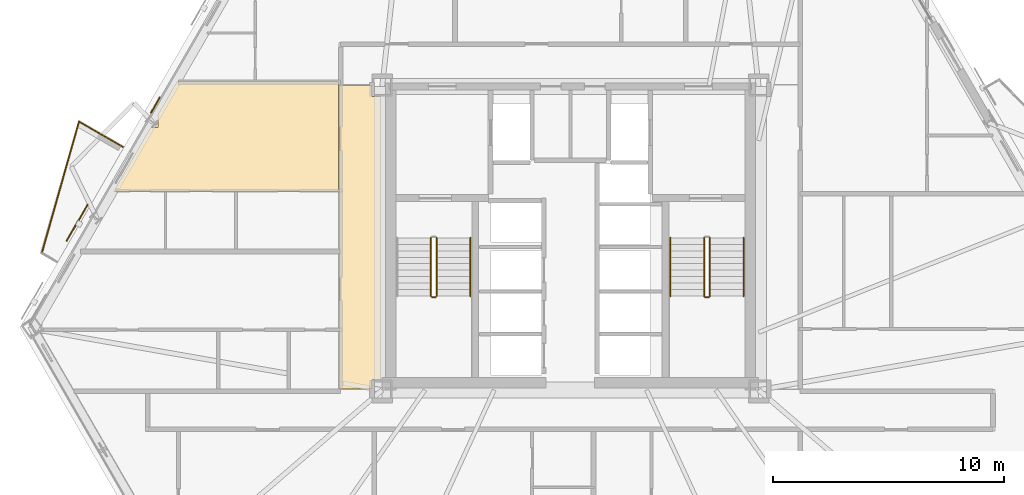
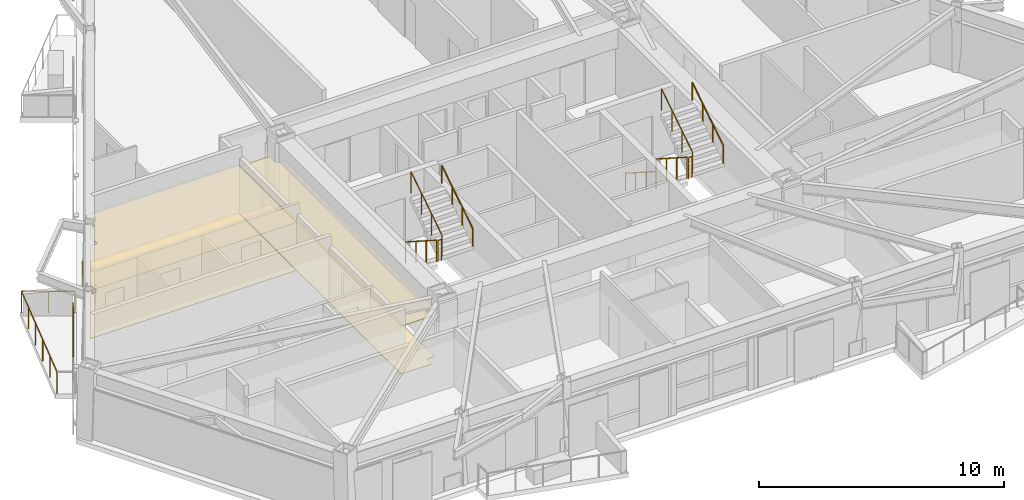
# One storey, part 13 of 15: 11 railings, 5 coverings, 1 shading device.
"""IFC4 building model written with IfcOpenShell, lengths in metres."""

import ifcopenshell
import ifcopenshell.guid

model = None  # the IFC model being written
_history = None  # IfcOwnerHistory: only IFC2X3 demands one
_inside = {}  # id of a spatial element -> (the spatial element, [elements in it])
_under = {}  # id of a project, library or spatial element -> (it, [spatial elements below it])
_declared = {}  # id of a project -> (the project, [libraries it declares])
_typed = {}  # id of a type object -> (the type object, [elements of that type])
_made_of = {}  # id of a material, layer set ... -> (it, [elements and type objects made of it])


def new_model(schema):
    """Start an empty IFC model of exactly this schema.

    Asked for "IFC4X3", IfcOpenShell would pick the latest addendum, in which some entities
    have other attributes; the version numbers below select the first issue.
    IFC2X3 requires an IfcOwnerHistory on every rooted entity: one is made here for all.
    """
    global model, _history
    if schema == "IFC4X3":
        model = ifcopenshell.file(schema_version=(4, 3, 0, 0))
    else:
        model = ifcopenshell.file(schema=schema)
    _inside.clear()
    _under.clear()
    _declared.clear()
    _typed.clear()
    _made_of.clear()
    _history = None
    if model.schema == "IFC2X3":
        org = make("IfcOrganization", Name="unknown")
        user = make(
            "IfcPersonAndOrganization",
            ThePerson=make("IfcPerson", FamilyName="unknown"),
            TheOrganization=org,
        )
        app = make(
            "IfcApplication",
            ApplicationDeveloper=org,
            Version="unknown",
            ApplicationFullName="unknown",
            ApplicationIdentifier="unknown",
        )
        _history = make(
            "IfcOwnerHistory",
            OwningUser=user,
            OwningApplication=app,
            ChangeAction="ADDED",
            CreationDate=0,
        )
    return model


def make(cls, **values):
    """One entity of the class cls with the attributes given. An attribute that is None is left unset."""
    return model.create_entity(
        cls, **{name: value for name, value in values.items() if value is not None}
    )


def rooted(cls, **values):
    """An entity with a GlobalId (a new one), such as an element, a storey or a relation."""
    return make(cls, GlobalId=ifcopenshell.guid.new(), OwnerHistory=_history, **values)


def si_unit(unit_type, name, prefix=None):
    """IfcSIUnit, for example si_unit("LENGTHUNIT", "METRE", prefix="MILLI")."""
    return make("IfcSIUnit", UnitType=unit_type, Prefix=prefix, Name=name)


def assignment(units):
    """IfcUnitAssignment: the units of a project."""
    return None if units is None else make("IfcUnitAssignment", Units=units)


def point(xyz):
    """IfcCartesianPoint."""
    return None if xyz is None else make("IfcCartesianPoint", Coordinates=xyz)


def direction(xyz):
    """IfcDirection."""
    return None if xyz is None else make("IfcDirection", DirectionRatios=xyz)


def frame(location, z_axis=None, x_axis=None):
    """IfcAxis2Placement3D, a coordinate frame: its origin and axes. An axis left out is left unset."""
    return make(
        "IfcAxis2Placement3D",
        Location=point(location),
        Axis=direction(z_axis),
        RefDirection=direction(x_axis),
    )


def frame_2d(location, x_axis=None):
    """IfcAxis2Placement2D, a coordinate frame in the plane: its origin and x axis."""
    return make(
        "IfcAxis2Placement2D", Location=point(location), RefDirection=direction(x_axis)
    )


def origin():
    """The frame at (0, 0, 0) with its axes left unset."""
    return frame((0.0, 0.0, 0.0))


def origin_2d():
    """The frame at (0, 0) in the plane with its x axis left unset."""
    return frame_2d((0.0, 0.0))


def place(relative_to, where):
    """IfcLocalPlacement: puts the frame where relative to a parent placement (None: the world)."""
    return make(
        "IfcLocalPlacement", PlacementRelTo=relative_to, RelativePlacement=where
    )


def context(
    kind, dimensions, precision=None, world=None, true_north=None, identifier=None
):
    """IfcGeometricRepresentationContext, for example the 3D "Model" context."""
    return make(
        "IfcGeometricRepresentationContext",
        ContextIdentifier=identifier,
        ContextType=kind,
        CoordinateSpaceDimension=dimensions,
        Precision=precision,
        WorldCoordinateSystem=world,
        TrueNorth=true_north,
    )


def subcontext(parent, identifier, kind, view, scale=None):
    """IfcGeometricRepresentationSubContext, for example "Body" below "Model"."""
    return make(
        "IfcGeometricRepresentationSubContext",
        ContextIdentifier=identifier,
        ContextType=kind,
        ParentContext=parent,
        TargetScale=scale,
        TargetView=view,
    )


def project(units=None, contexts=None):
    """IfcProject with its units and contexts."""
    return rooted(
        "IfcProject",
        Name="project",
        RepresentationContexts=contexts,
        UnitsInContext=assignment(units),
    )


def spatial(cls, under=None, at=None, **own):
    """A site, building, storey or space (cls), placed at a placement, below another one or the project."""
    s = rooted(cls, ObjectPlacement=at, **own)
    if under is not None:
        _under.setdefault(under.id(), (under, []))[1].append(s)
    return s


def polyline(points):
    """IfcPolyline through the points."""
    return make("IfcPolyline", Points=[point(p) for p in points])


def profile(cls, at=None, kind="AREA", **sizes):
    """A parametric profile (cls). Its sizes go by their IFC names, for example OverallWidth=200.0."""
    return make(cls, ProfileType=kind, Position=at, **sizes)


def rectangle(**sizes):
    """IfcRectangleProfileDef."""
    return profile("IfcRectangleProfileDef", **sizes)


def circle(**sizes):
    """IfcCircleProfileDef."""
    return profile("IfcCircleProfileDef", **sizes)


def outline(outer, holes=None, kind="AREA"):
    """IfcArbitraryClosedProfileDef: a profile drawn as a closed curve; with holes, ...WithVoids."""
    if holes is None:
        return make("IfcArbitraryClosedProfileDef", ProfileType=kind, OuterCurve=outer)
    return make(
        "IfcArbitraryProfileDefWithVoids",
        ProfileType=kind,
        OuterCurve=outer,
        InnerCurves=holes,
    )


def extrude(swept, where, along, depth):
    """IfcExtrudedAreaSolid: the profile swept, set in the frame where, extruded along a direction by depth."""
    return make(
        "IfcExtrudedAreaSolid",
        SweptArea=swept,
        Position=where,
        ExtrudedDirection=direction(along),
        Depth=depth,
    )


def shape(context_of_items, identifier, shape_type, items):
    """IfcShapeRepresentation: the items that make up one representation, for example the "Body"."""
    return make(
        "IfcShapeRepresentation",
        ContextOfItems=context_of_items,
        RepresentationIdentifier=identifier,
        RepresentationType=shape_type,
        Items=items,
    )


def material(Name=None, Category=None):
    """IfcMaterial."""
    return make("IfcMaterial", Name=Name, Category=Category)


def layer(
    of_material, thickness, ventilated=None, Name=None, Category=None, Priority=None
):
    """IfcMaterialLayer: one layer of a wall or slab, of a material (None: an air gap)."""
    return make(
        "IfcMaterialLayer",
        Material=of_material,
        LayerThickness=thickness,
        IsVentilated=ventilated,
        Name=Name,
        Category=Category,
        Priority=Priority,
    )


def layer_set(layers, Name=None):
    """IfcMaterialLayerSet."""
    return make("IfcMaterialLayerSet", MaterialLayers=layers, LayerSetName=Name)


def made_of(thing, what):
    """Note that an element or type object is made of a material, layer set ...; save() writes the relation."""
    if what is not None:
        _made_of.setdefault(what.id(), (what, []))[1].append(thing)
    return thing


def type_object(cls, material=None, **own):
    """A type object (cls), such as IfcWallType, which elements share."""
    return made_of(rooted(cls, **own), material)


def element(
    cls,
    number,
    at=None,
    inside=None,
    cuts=None,
    type_object=None,
    material=None,
    context=None,
    identifier="Body",
    shape_type=None,
    held_by="IfcProductDefinitionShape",
    body=None,
    shapes=None,
    **own,
):
    """One element of the class cls, such as IfcWall. Its Tag is "e" and its number.

    at: its placement. inside: the storey or other place that contains it. cuts: it is an
    opening in that element (IfcRelVoidsElement). A single representation is given by context,
    identifier, shape_type and body (its items); several are given by shapes. held_by: the class
    of the entity that holds the representations. save() writes the other relations.
    """
    e = rooted(cls, Tag="e%d" % number, ObjectPlacement=at, **own)
    if body is not None:
        shapes = [shape(context, identifier, shape_type, body)]
    if shapes is not None:
        e.Representation = make(held_by, Representations=shapes)
    if inside is not None:
        _inside.setdefault(inside.id(), (inside, []))[1].append(e)
    if cuts is not None:
        rooted(
            "IfcRelVoidsElement", RelatingBuildingElement=cuts, RelatedOpeningElement=e
        )
    if type_object is not None:
        _typed.setdefault(type_object.id(), (type_object, []))[1].append(e)
    return made_of(e, material)


def aggregate(whole, parts):
    """IfcRelAggregates: a whole, such as a stair, and the parts it consists of."""
    return rooted("IfcRelAggregates", RelatingObject=whole, RelatedObjects=parts)


def save(model, path):
    """Write the relations noted so far, then the file.

    IfcRelAggregates (storeys below a building ...), IfcRelContainedInSpatialStructure (elements
    in a storey), IfcRelDefinesByType, IfcRelAssociatesMaterial and IfcRelDeclares: one each for
    every whole, place, type object, material and project.
    """
    for whole, parts in _under.values():
        aggregate(whole, parts)
    for where, things in _inside.values():
        rooted(
            "IfcRelContainedInSpatialStructure",
            RelatedElements=things,
            RelatingStructure=where,
        )
    for kind, things in _typed.values():
        rooted("IfcRelDefinesByType", RelatedObjects=things, RelatingType=kind)
    for what, things in _made_of.values():
        rooted("IfcRelAssociatesMaterial", RelatedObjects=things, RelatingMaterial=what)
    for by, libraries in _declared.values():
        rooted("IfcRelDeclares", RelatingContext=by, RelatedDefinitions=libraries)
    model.write(path)


model = new_model("IFC4")

# Units and contexts
model_context = context("Model", 3, precision=1e-05, world=origin(), true_north=direction((0.0, 1.0)))
body_context = subcontext(model_context, "Body", "Model", "MODEL_VIEW")
ifc_project = project(units=[si_unit("LENGTHUNIT", "METRE"), si_unit("AREAUNIT", "SQUARE_METRE"), si_unit("VOLUMEUNIT", "CUBIC_METRE"), si_unit("PLANEANGLEUNIT", "RADIAN"), si_unit("MASSUNIT", "GRAM", prefix="KILO")], contexts=[model_context])

# Site, building, storey
site_placement = place(None, origin())
site = spatial("IfcSite", under=ifc_project, at=site_placement, CompositionType="ELEMENT")
building_placement = place(site_placement, origin())
building = spatial("IfcBuilding", under=site, at=building_placement, Name="Oramaril Tower", CompositionType="ELEMENT")
storey_placement = place(building_placement, frame((0.0, 0.0, 93.300048828125)))
storey = spatial("IfcBuildingStorey", under=building, at=storey_placement, Name="L24", CompositionType="ELEMENT", Elevation=93.300048828125)

# Coverings
ifc_material_1 = material(Name="Mineral Fibre Acoustic Ceiling")
ifc_layer_1 = layer(ifc_material_1, 0.02001953125)
ifc_layer_set_1 = layer_set([ifc_layer_1], Name="CVT-CEIL")
covering_type_1 = type_object("IfcCoveringType", Name="CVT-CEIL", PredefinedType="CEILING", material=ifc_layer_set_1)
covering_1_placement = place(storey_placement, frame((0.0, 0.0, 2.39990234375)))
element("IfcCovering", 1, at=covering_1_placement, inside=storey, type_object=covering_type_1, Name="L24 Acoustic Suspended Ceiling 3", PredefinedType="CEILING", context=body_context, shape_type="SweptSolid", body=[
    extrude(outline(polyline([(28.905029296875, 23.705078125), (29.280029296875, 23.705078125), (29.280029296875, 11.445068359375), (28.905029296875, 11.445068359375), (28.905029296875, 11.050048828125), (27.469970703125, 11.050048828125), (27.469970703125, 24.219970703125), (28.905029296875, 24.219970703125), (28.905029296875, 23.705078125)])), origin(), (0.0, 0.0, 1.0), 0.02001953125),
])
covering_2_placement = place(storey_placement, frame((0.0, 0.0, 2.39990234375)))
element("IfcCovering", 2, at=covering_2_placement, inside=storey, type_object=covering_type_1, Name="L24 Acoustic Suspended Ceiling 16", PredefinedType="CEILING", context=body_context, shape_type="SweptSolid", body=[
    extrude(outline(polyline([(17.713623046875, 19.59326171875), (19.31298828125, 22.363037109375), (19.642333984375, 22.363037109375), (19.642333984375, 22.8671875), (19.60400390625, 22.8671875), (20.467041015625, 24.362060546875), (27.449951171875, 24.362060546875), (27.449951171875, 24.239990234375), (27.4501953125, 24.238037109375), (27.450439453125, 24.236083984375), (27.450927734375, 24.234130859375), (27.451416015625, 24.232421875), (27.452392578125, 24.230712890625), (27.45263671875, 24.22998046875), (27.452392578125, 24.2294921875), (27.451416015625, 24.227783203125), (27.450927734375, 24.225830078125), (27.450439453125, 24.223876953125), (27.4501953125, 24.221923828125), (27.449951171875, 24.219970703125), (27.449951171875, 19.59326171875), (17.713623046875, 19.59326171875)])), origin(), (0.0, 0.0, 1.0), 0.02001953125),
])
ifc_material_2 = material(Name="Warm Cream Limestone", Category="masonry")
ifc_layer_2 = layer(ifc_material_2, 0.050048828125)
ifc_layer_set_2 = layer_set([ifc_layer_2], Name="CVT-CLD")
covering_type_2 = type_object("IfcCoveringType", Name="CVT-CLD", PredefinedType="CLADDING", material=ifc_layer_set_2)
covering_3_placement = place(storey_placement, frame((19.527099609375, 23.3359375, 0.0400390625), z_axis=(0.0, 0.0, 1.0), x_axis=(-0.5, -0.866025403784, 0.0)))
element("IfcCovering", 3, at=covering_3_placement, inside=storey, type_object=covering_type_2, Name="L24 Warm Cream Limestone Spandrel Cladding", PredefinedType="CLADDING", context=body_context, shape_type="SweptSolid", body=[
    extrude(rectangle(XDim=0.800048828125, YDim=0.050048828125, at=origin_2d()), origin(), (0.0, 0.0, 1.0), 0.679931640625),
])
ifc_material_3 = material(Name="Honed Quartzite Stone Flooring", Category="masonry")
ifc_layer_3 = layer(ifc_material_3, 0.02490234375)
ifc_layer_set_3 = layer_set([ifc_layer_3], Name="CVT-FLR")
covering_type_3 = type_object("IfcCoveringType", Name="CVT-FLR", PredefinedType="FLOORING", material=ifc_layer_set_3)
covering_4_placement = place(storey_placement, origin())
element("IfcCovering", 4, at=covering_4_placement, inside=storey, type_object=covering_type_3, Name="L24 Honed Stone Floor Finish 3", PredefinedType="FLOORING", context=body_context, shape_type="SweptSolid", body=[
    extrude(outline(polyline([(28.905029296875, 23.705078125), (29.280029296875, 23.705078125), (29.280029296875, 11.445068359375), (28.905029296875, 11.445068359375), (28.905029296875, 11.050048828125), (27.469970703125, 11.050048828125), (27.469970703125, 24.219970703125), (28.905029296875, 24.219970703125), (28.905029296875, 23.705078125)])), origin(), (0.0, 0.0, 1.0), 0.02490234375),
])
covering_5_placement = place(storey_placement, origin())
element("IfcCovering", 5, at=covering_5_placement, inside=storey, type_object=covering_type_3, Name="L24 Honed Stone Floor Finish 16", PredefinedType="FLOORING", context=body_context, shape_type="SweptSolid", body=[
    extrude(outline(polyline([(17.713623046875, 19.59326171875), (19.31298828125, 22.363037109375), (19.642333984375, 22.363037109375), (19.642333984375, 22.8671875), (19.60400390625, 22.8671875), (20.467041015625, 24.362060546875), (27.449951171875, 24.362060546875), (27.449951171875, 24.239990234375), (27.4501953125, 24.238037109375), (27.450439453125, 24.236083984375), (27.450927734375, 24.234130859375), (27.451416015625, 24.232421875), (27.452392578125, 24.230712890625), (27.45263671875, 24.22998046875), (27.452392578125, 24.2294921875), (27.451416015625, 24.227783203125), (27.450927734375, 24.225830078125), (27.450439453125, 24.223876953125), (27.4501953125, 24.221923828125), (27.449951171875, 24.219970703125), (27.449951171875, 19.59326171875), (17.713623046875, 19.59326171875)])), origin(), (0.0, 0.0, 1.0), 0.02490234375),
])

# Railings
ifc_material_4 = material(Name="Stainless Steel 316L", Category="steel")
railing_type_1 = type_object("IfcRailingType", Name="RLT-GRD", PredefinedType="GUARDRAIL", material=ifc_material_4)
railing_1_placement = place(storey_placement, frame((14.61181640625, 16.9365234375, 0.0)))
element("IfcRailing", 6, at=railing_1_placement, inside=storey, type_object=railing_type_1, Name="L24 Balcony Guardrail L24-BAL-NW2.2", PredefinedType="GUARDRAIL", context=body_context, shape_type="SweptSolid", body=[
    extrude(circle(Radius=0.02392578125, at=origin_2d()), frame((0.0, 0.0, 1.076171875), z_axis=(0.272287109361, 0.962216051662, 0.0), x_axis=(-0.962216051662, 0.272287109361, 0.0)), (0.0, 0.0, 1.0), 5.91064453125),
    extrude(circle(Radius=0.02099609375, at=origin_2d()), origin(), (0.0, 0.0, 1.0), 1.052001953125),
    extrude(circle(Radius=0.02099609375, at=origin_2d()), frame((0.32177734375, 1.137451171875, 0.0)), (0.0, 0.0, 1.0), 1.052001953125),
    extrude(circle(Radius=0.02099609375, at=origin_2d()), frame((0.643798828125, 2.27490234375, 0.0)), (0.0, 0.0, 1.0), 1.052001953125),
    extrude(circle(Radius=0.02099609375, at=origin_2d()), frame((0.965576171875, 3.412353515625, 0.0)), (0.0, 0.0, 1.0), 1.052001953125),
    extrude(circle(Radius=0.02099609375, at=origin_2d()), frame((1.28759765625, 4.5498046875, 0.0)), (0.0, 0.0, 1.0), 1.052001953125),
    extrude(circle(Radius=0.02099609375, at=origin_2d()), frame((1.609375, 5.687255859375, 0.0)), (0.0, 0.0, 1.0), 1.052001953125),
])
railing_2_placement = place(storey_placement, frame((16.22119140625, 22.623779296875, 0.0)))
element("IfcRailing", 7, at=railing_2_placement, inside=storey, type_object=railing_type_1, Name="L24 Balcony Guardrail L24-BAL-NW2.3", PredefinedType="GUARDRAIL", context=body_context, shape_type="SweptSolid", body=[
    extrude(circle(Radius=0.02392578125, at=origin_2d()), frame((0.0, 0.0, 1.076171875), z_axis=(0.866020500697, -0.5000084923, 0.0), x_axis=(0.5000084923, 0.866020500697, 0.0)), (0.0, 0.0, 1.0), 2.19189453125),
    extrude(circle(Radius=0.02099609375, at=origin_2d()), origin(), (0.0, 0.0, 1.0), 1.052001953125),
    extrude(circle(Radius=0.02099609375, at=origin_2d()), frame((0.94921875, -0.5478515625, 0.0)), (0.0, 0.0, 1.0), 1.052001953125),
    extrude(circle(Radius=0.02099609375, at=origin_2d()), frame((1.898193359375, -1.095947265625, 0.0)), (0.0, 0.0, 1.0), 1.052001953125),
])
railing_3_placement = place(storey_placement, frame((31.4599609375, 17.590087890625, 0.179931640625)))
element("IfcRailing", 8, at=railing_3_placement, inside=storey, type_object=railing_type_1, Name="L24 ST-1 stair guard 1", PredefinedType="GUARDRAIL", context=body_context, shape_type="SweptSolid", body=[
    extrude(circle(Radius=0.02392578125, at=origin_2d()), frame((0.0, 0.0, 1.076171875), z_axis=(0.0, -0.841162588446, 0.540782303519), x_axis=(1.0, 0.0, 0.0)), (0.0, 0.0, 1.0), 2.995849609375),
    extrude(circle(Radius=0.02099609375, at=origin_2d()), origin(), (0.0, 0.0, 1.0), 1.052001953125),
    extrude(circle(Radius=0.02099609375, at=origin_2d()), frame((0.0, -0.840087890625, 0.5400390625)), (0.0, 0.0, 1.0), 1.052001953125),
    extrude(circle(Radius=0.02099609375, at=origin_2d()), frame((0.0, -1.679931640625, 1.080078125)), (0.0, 0.0, 1.0), 1.052001953125),
    extrude(circle(Radius=0.02099609375, at=origin_2d()), frame((0.0, -2.52001953125, 1.6201171875)), (0.0, 0.0, 1.0), 1.052001953125),
])
railing_4_placement = place(storey_placement, frame((31.510009765625, 15.02001953125, 1.800048828125)))
element("IfcRailing", 9, at=railing_4_placement, inside=storey, type_object=railing_type_1, Name="L24 ST-1 stair guard 2", PredefinedType="GUARDRAIL", context=body_context, shape_type="SweptSolid", body=[
    extrude(circle(Radius=0.02392578125, at=origin_2d()), frame((0.0, 0.0, 1.076171875), z_axis=(1.0, 0.0, 0.0), x_axis=(0.0, 1.0, 0.0)), (0.0, 0.0, 1.0), 0.14990234375),
    extrude(circle(Radius=0.02099609375, at=origin_2d()), origin(), (0.0, 0.0, 1.0), 1.052001953125),
    extrude(circle(Radius=0.02099609375, at=origin_2d()), frame((0.14990234375, 0.0, 0.0)), (0.0, 0.0, 1.0), 1.052001953125),
])
railing_5_placement = place(storey_placement, frame((31.7099609375, 15.070068359375, 1.97998046875)))
element("IfcRailing", 10, at=railing_5_placement, inside=storey, type_object=railing_type_1, Name="L24 ST-1 stair guard 3", PredefinedType="GUARDRAIL", context=body_context, shape_type="SweptSolid", body=[
    extrude(circle(Radius=0.02392578125, at=origin_2d()), frame((0.0, 0.0, 1.076171875), z_axis=(0.0, 0.841199657755, 0.540724639528), x_axis=(-1.0, 0.0, 0.0)), (0.0, 0.0, 1.0), 2.995849609375),
    extrude(circle(Radius=0.02099609375, at=origin_2d()), origin(), (0.0, 0.0, 1.0), 1.052001953125),
    extrude(circle(Radius=0.02099609375, at=origin_2d()), frame((0.0, 0.840087890625, 0.5400390625)), (0.0, 0.0, 1.0), 1.052001953125),
    extrude(circle(Radius=0.02099609375, at=origin_2d()), frame((0.0, 1.679931640625, 1.079833984375)), (0.0, 0.0, 1.0), 1.052001953125),
    extrude(circle(Radius=0.02099609375, at=origin_2d()), frame((0.0, 2.52001953125, 1.619873046875)), (0.0, 0.0, 1.0), 1.052001953125),
])
railing_6_placement = place(storey_placement, frame((43.2900390625, 17.590087890625, 0.179931640625)))
element("IfcRailing", 11, at=railing_6_placement, inside=storey, type_object=railing_type_1, Name="L24 ST-2 stair guard 1", PredefinedType="GUARDRAIL", context=body_context, shape_type="SweptSolid", body=[
    extrude(circle(Radius=0.02392578125, at=origin_2d()), frame((0.0, 0.0, 1.076171875), z_axis=(0.0, -0.841162588446, 0.540782303519), x_axis=(1.0, 0.0, 0.0)), (0.0, 0.0, 1.0), 2.995849609375),
    extrude(circle(Radius=0.02099609375, at=origin_2d()), origin(), (0.0, 0.0, 1.0), 1.052001953125),
    extrude(circle(Radius=0.02099609375, at=origin_2d()), frame((0.0, -0.840087890625, 0.5400390625)), (0.0, 0.0, 1.0), 1.052001953125),
    extrude(circle(Radius=0.02099609375, at=origin_2d()), frame((0.0, -1.679931640625, 1.080078125)), (0.0, 0.0, 1.0), 1.052001953125),
    extrude(circle(Radius=0.02099609375, at=origin_2d()), frame((0.0, -2.52001953125, 1.6201171875)), (0.0, 0.0, 1.0), 1.052001953125),
])
railing_7_placement = place(storey_placement, frame((43.340087890625, 15.02001953125, 1.800048828125)))
element("IfcRailing", 12, at=railing_7_placement, inside=storey, type_object=railing_type_1, Name="L24 ST-2 stair guard 2", PredefinedType="GUARDRAIL", context=body_context, shape_type="SweptSolid", body=[
    extrude(circle(Radius=0.02392578125, at=origin_2d()), frame((0.0, 0.0, 1.076171875), z_axis=(1.0, 0.0, 0.0), x_axis=(0.0, 1.0, 0.0)), (0.0, 0.0, 1.0), 0.14990234375),
    extrude(circle(Radius=0.02099609375, at=origin_2d()), origin(), (0.0, 0.0, 1.0), 1.052001953125),
    extrude(circle(Radius=0.02099609375, at=origin_2d()), frame((0.14990234375, 0.0, 0.0)), (0.0, 0.0, 1.0), 1.052001953125),
])
railing_8_placement = place(storey_placement, frame((43.5400390625, 15.070068359375, 1.97998046875)))
element("IfcRailing", 13, at=railing_8_placement, inside=storey, type_object=railing_type_1, Name="L24 ST-2 stair guard 3", PredefinedType="GUARDRAIL", context=body_context, shape_type="SweptSolid", body=[
    extrude(circle(Radius=0.02392578125, at=origin_2d()), frame((0.0, 0.0, 1.076171875), z_axis=(0.0, 0.841199657755, 0.540724639528), x_axis=(-1.0, 0.0, 0.0)), (0.0, 0.0, 1.0), 2.995849609375),
    extrude(circle(Radius=0.02099609375, at=origin_2d()), origin(), (0.0, 0.0, 1.0), 1.052001953125),
    extrude(circle(Radius=0.02099609375, at=origin_2d()), frame((0.0, 0.840087890625, 0.5400390625)), (0.0, 0.0, 1.0), 1.052001953125),
    extrude(circle(Radius=0.02099609375, at=origin_2d()), frame((0.0, 1.679931640625, 1.079833984375)), (0.0, 0.0, 1.0), 1.052001953125),
    extrude(circle(Radius=0.02099609375, at=origin_2d()), frame((0.0, 2.52001953125, 1.619873046875)), (0.0, 0.0, 1.0), 1.052001953125),
])
ifc_material_5 = material(Name="Stainless Steel 316L", Category="steel")
railing_type_2 = type_object("IfcRailingType", Name="RLT-HND", PredefinedType="HANDRAIL", material=ifc_material_5)
railing_9_placement = place(storey_placement, frame((33.169921875, 15.070068359375, 1.97998046875)))
element("IfcRailing", 14, at=railing_9_placement, inside=storey, type_object=railing_type_2, Name="L24 ST-1 stair handrail 2", PredefinedType="HANDRAIL", context=body_context, shape_type="SweptSolid", body=[
    extrude(circle(Radius=0.02392578125, at=origin_2d()), frame((0.0, 0.0, 0.8759765625), z_axis=(0.0, 0.841199657755, 0.540724639528), x_axis=(-1.0, 0.0, 0.0)), (0.0, 0.0, 1.0), 2.995849609375),
    extrude(circle(Radius=0.02099609375, at=origin_2d()), origin(), (0.0, 0.0, 1.0), 0.851806640625),
    extrude(circle(Radius=0.02099609375, at=origin_2d()), frame((0.0, 0.840087890625, 0.5400390625)), (0.0, 0.0, 1.0), 0.851806640625),
    extrude(circle(Radius=0.02099609375, at=origin_2d()), frame((0.0, 1.679931640625, 1.079833984375)), (0.0, 0.0, 1.0), 0.851806640625),
    extrude(circle(Radius=0.02099609375, at=origin_2d()), frame((0.0, 2.52001953125, 1.619873046875)), (0.0, 0.0, 1.0), 0.851806640625),
])
railing_10_placement = place(storey_placement, frame((41.830078125, 17.590087890625, 0.179931640625)))
element("IfcRailing", 15, at=railing_10_placement, inside=storey, type_object=railing_type_2, Name="L24 ST-2 stair handrail 1", PredefinedType="HANDRAIL", context=body_context, shape_type="SweptSolid", body=[
    extrude(circle(Radius=0.02392578125, at=origin_2d()), frame((0.0, 0.0, 0.8759765625), z_axis=(0.0, -0.841162588446, 0.540782303519), x_axis=(1.0, 0.0, 0.0)), (0.0, 0.0, 1.0), 2.995849609375),
    extrude(circle(Radius=0.02099609375, at=origin_2d()), origin(), (0.0, 0.0, 1.0), 0.851806640625),
    extrude(circle(Radius=0.02099609375, at=origin_2d()), frame((0.0, -0.840087890625, 0.5400390625)), (0.0, 0.0, 1.0), 0.851806640625),
    extrude(circle(Radius=0.02099609375, at=origin_2d()), frame((0.0, -1.679931640625, 1.080078125)), (0.0, 0.0, 1.0), 0.851806640625),
    extrude(circle(Radius=0.02099609375, at=origin_2d()), frame((0.0, -2.52001953125, 1.6201171875)), (0.0, 0.0, 1.0), 0.851806640625),
])
railing_11_placement = place(storey_placement, frame((45.0, 15.070068359375, 1.97998046875)))
element("IfcRailing", 16, at=railing_11_placement, inside=storey, type_object=railing_type_2, Name="L24 ST-2 stair handrail 2", PredefinedType="HANDRAIL", context=body_context, shape_type="SweptSolid", body=[
    extrude(circle(Radius=0.02392578125, at=origin_2d()), frame((0.0, 0.0, 0.8759765625), z_axis=(0.0, 0.841199657755, 0.540724639528), x_axis=(-1.0, 0.0, 0.0)), (0.0, 0.0, 1.0), 2.995849609375),
    extrude(circle(Radius=0.02099609375, at=origin_2d()), origin(), (0.0, 0.0, 1.0), 0.851806640625),
    extrude(circle(Radius=0.02099609375, at=origin_2d()), frame((0.0, 0.840087890625, 0.5400390625)), (0.0, 0.0, 1.0), 0.851806640625),
    extrude(circle(Radius=0.02099609375, at=origin_2d()), frame((0.0, 1.679931640625, 1.079833984375)), (0.0, 0.0, 1.0), 0.851806640625),
    extrude(circle(Radius=0.02099609375, at=origin_2d()), frame((0.0, 2.52001953125, 1.619873046875)), (0.0, 0.0, 1.0), 0.851806640625),
])

# Shading device
shading_device_placement = place(storey_placement, frame((16.140380859375, 18.243896484375, -0.02001953125), z_axis=(0.0, 0.0, 1.0), x_axis=(-0.5, -0.866025403784, 0.0)))
element("IfcShadingDevice", 17, at=shading_device_placement, inside=storey, Name="L24 Perforated Ceramic Solar Screen", ObjectType="SCREEN", PredefinedType="USERDEFINED", context=body_context, shape_type="SweptSolid", body=[
    extrude(rectangle(XDim=1.8330078125, YDim=0.050048828125, at=origin_2d()), origin(), (0.0, 0.0, 1.0), 2.577880859375),
])

save(model, "model.ifc")
